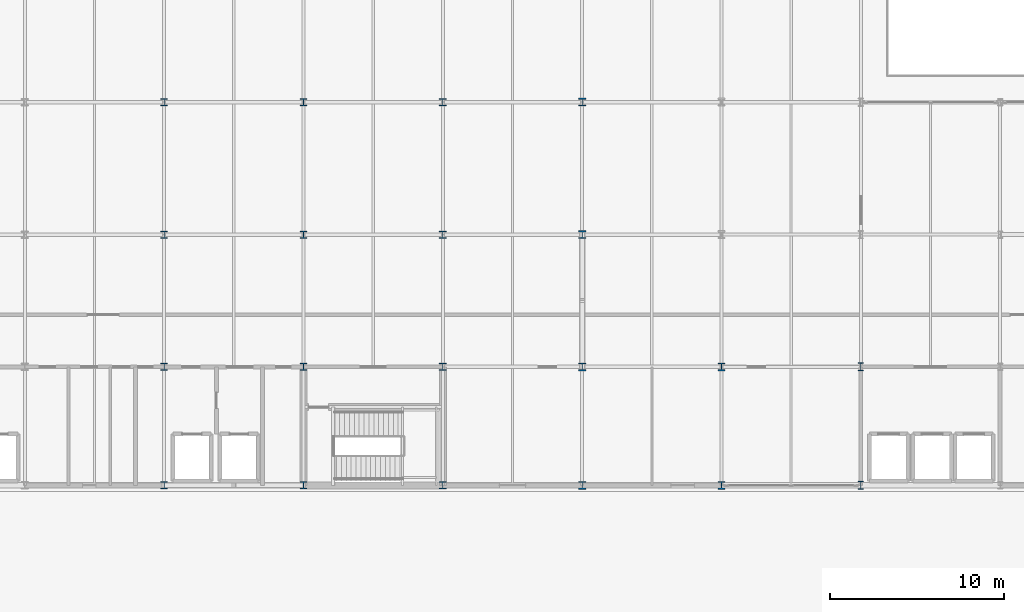
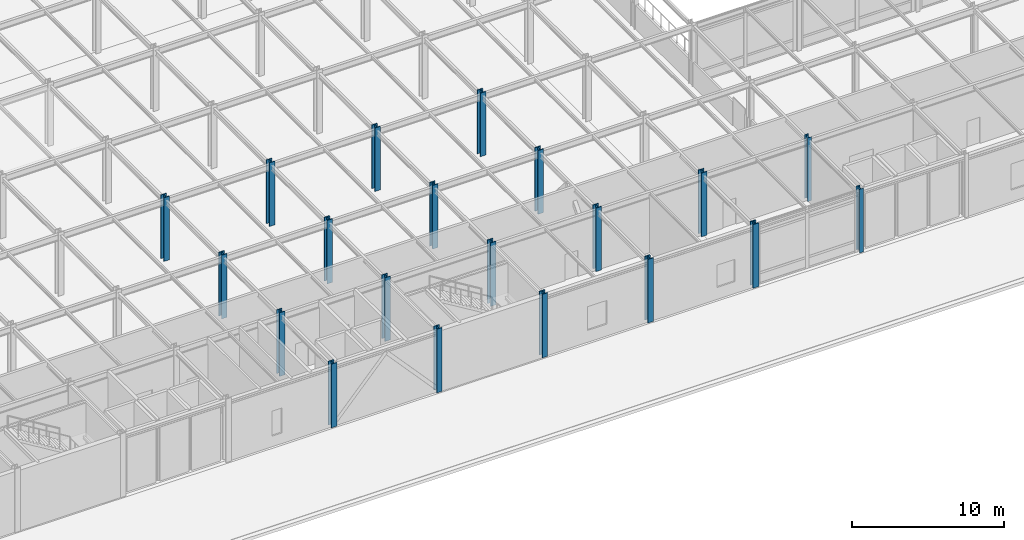
# One storey, part 5 of 113: 20 columns.
"""IFC4 building model written with IfcOpenShell, lengths in metres."""

from ifc_helpers import new_model, si_unit, direction, frame, origin, origin_2d, place, context, subcontext, project, spatial, i_section, extrude, material, material_profile, profile_set, type_object, element, save


model = new_model("IFC4")

# Units and contexts
model_context = context("Model", 3, precision=1e-05, world=origin(), true_north=direction((0.0, 1.0)))
body_context = subcontext(model_context, "Body", "Model", "MODEL_VIEW")
ifc_project = project(units=[si_unit("LENGTHUNIT", "METRE"), si_unit("AREAUNIT", "SQUARE_METRE"), si_unit("VOLUMEUNIT", "CUBIC_METRE"), si_unit("PLANEANGLEUNIT", "RADIAN"), si_unit("MASSUNIT", "GRAM", prefix="KILO")], contexts=[model_context])

# Site, building, storey
site_placement = place(None, origin())
site = spatial("IfcSite", under=ifc_project, at=site_placement, CompositionType="ELEMENT")
building_placement = place(site_placement, origin())
building = spatial("IfcBuilding", under=site, at=building_placement, Name="Shalkamar Park Central Library", CompositionType="ELEMENT")
storey_placement = place(building_placement, frame((0.0, 0.0, 5.39990234375)))
storey = spatial("IfcBuildingStorey", under=building, at=storey_placement, Name="L02", CompositionType="ELEMENT", Elevation=5.39990234375)

# Columns
ifc_material = material(Name="Steel S355", Category="steel")
ifc_material_profile_1 = material_profile(ifc_material, i_section(OverallWidth=0.412109375, OverallDepth=0.43505859375, WebThickness=0.035888671875, FlangeThickness=0.057373046875, FilletRadius=0.014892578125, at=origin_2d()), Name="HD 400x463")
ifc_profile_set_1 = profile_set([ifc_material_profile_1], Name="Steel S355")
column_type_1 = type_object("IfcColumnType", Name="Column Steel HD400x463", PredefinedType="COLUMN", material=ifc_profile_set_1)
for number, where, z_axis, x_axis, name in (
    (1, (189.0, 248.39990234375, 0.0), (0.0, 0.0, 1.0), (1.0, 0.0, 0.0), "Column 10/B (L02)"),
    (2, (189.0, 255.199951171875, 0.0), (0.0, 0.0, 1.0), (1.0, 0.0, 0.0), "Column 10/C (L02)"),
    (3, (189.0, 262.800048828125, 0.0), (0.0, 0.0, 1.0), (1.0, 0.0, 0.0), "Column 10/D (L02)"),
    (4, (189.0, 270.39990234375, 0.0), (0.0, 0.0, 1.0), (1.0, 0.0, 0.0), "Column 10/E (L02)"),
    (5, (197.0, 248.39990234375, 0.0), (0.0, 0.0, 1.0), (1.0, 0.0, 0.0), "Column 11/B (L02)"),
    (6, (197.0, 255.199951171875, 0.0), (0.0, 0.0, 1.0), (1.0, 0.0, 0.0), "Column 11/C (L02)"),
    (7, (197.0, 262.800048828125, 0.0), (0.0, 0.0, 1.0), (1.0, 0.0, 0.0), "Column 11/D (L02)"),
    (8, (197.0, 270.39990234375, 0.0), (0.0, 0.0, 1.0), (1.0, 0.0, 0.0), "Column 11/E (L02)"),
    (9, (205.0, 248.39990234375, 0.0), (0.0, 0.0, 1.0), (1.0, 0.0, 0.0), "Column 12/B (L02)"),
    (10, (205.0, 255.199951171875, 0.0), (0.0, 0.0, 1.0), (1.0, 0.0, 0.0), "Column 12/C (L02)"),
    (11, (205.0, 262.800048828125, 0.0), (0.0, 0.0, 1.0), (1.0, 0.0, 0.0), "Column 12/D (L02)"),
    (12, (205.0, 270.39990234375, 0.0), (0.0, 0.0, 1.0), (1.0, 0.0, 0.0), "Column 12/E (L02)"),
):
    element("IfcColumn", number, at=place(storey_placement, frame(where, z_axis=z_axis, x_axis=x_axis)), inside=storey, type_object=column_type_1, Name=name, PredefinedType="COLUMN", context=body_context, shape_type="SweptSolid", body=[
        extrude(i_section(OverallWidth=0.412109375, OverallDepth=0.43505859375, WebThickness=0.035888671875, FlangeThickness=0.057373046875, FilletRadius=0.014892578125, at=origin_2d()), origin(), (0.0, 0.0, 1.0), 5.10009765625),
    ])
ifc_material_profile_2 = material_profile(ifc_material, i_section(OverallWidth=0.41796875, OverallDepth=0.455078125, WebThickness=0.0419921875, FlangeThickness=0.067626953125, FilletRadius=0.014892578125, at=origin_2d()), Name="HD 400x551")
ifc_profile_set_2 = profile_set([ifc_material_profile_2], Name="Steel S355")
column_type_2 = type_object("IfcColumnType", Name="Column Steel HD400x551", PredefinedType="COLUMN", material=ifc_profile_set_2)
for number, where, z_axis, x_axis, name in (
    (13, (213.0, 248.39990234375, 0.0), (0.0, 0.0, 1.0), (1.0, 0.0, 0.0), "Column 13/B (L02)"),
    (14, (213.0, 255.199951171875, 0.0), (0.0, 0.0, 1.0), (1.0, 0.0, 0.0), "Column 13/C (L02)"),
    (15, (213.0, 262.800048828125, 0.0), (0.0, 0.0, 1.0), (1.0, 0.0, 0.0), "Column 13/D (L02)"),
    (16, (213.0, 270.39990234375, 0.0), (0.0, 0.0, 1.0), (1.0, 0.0, 0.0), "Column 13/E (L02)"),
    (17, (221.0, 248.39990234375, 0.0), (0.0, 0.0, 1.0), (1.0, 0.0, 0.0), "Column 14/B (L02)"),
    (18, (221.0, 255.199951171875, 0.0), (0.0, 0.0, 1.0), (1.0, 0.0, 0.0), "Column 14/C (L02)"),
):
    element("IfcColumn", number, at=place(storey_placement, frame(where, z_axis=z_axis, x_axis=x_axis)), inside=storey, type_object=column_type_2, Name=name, PredefinedType="COLUMN", context=body_context, shape_type="SweptSolid", body=[
        extrude(i_section(OverallWidth=0.41796875, OverallDepth=0.455078125, WebThickness=0.0419921875, FlangeThickness=0.067626953125, FilletRadius=0.014892578125, at=origin_2d()), origin(), (0.0, 0.0, 1.0), 5.10009765625),
    ])
ifc_material_profile_3 = material_profile(ifc_material, i_section(OverallWidth=0.300048828125, OverallDepth=0.449951171875, WebThickness=0.013916015625, FlangeThickness=0.02587890625, FilletRadius=0.027099609375, at=origin_2d()), Name="HEB 450")
ifc_profile_set_3 = profile_set([ifc_material_profile_3], Name="Steel S355")
column_type_3 = type_object("IfcColumnType", Name="Column Steel HEB450", PredefinedType="COLUMN", material=ifc_profile_set_3)
for number, where, z_axis, x_axis, name in (
    (19, (229.0, 248.39990234375, 0.0), (0.0, 0.0, 1.0), (1.0, 0.0, 0.0), "Column 15/B (L02)"),
    (20, (229.0, 255.199951171875, 0.0), (0.0, 0.0, 1.0), (1.0, 0.0, 0.0), "Column 15/C (L02)"),
):
    element("IfcColumn", number, at=place(storey_placement, frame(where, z_axis=z_axis, x_axis=x_axis)), inside=storey, type_object=column_type_3, Name=name, PredefinedType="COLUMN", context=body_context, shape_type="SweptSolid", body=[
        extrude(i_section(OverallWidth=0.300048828125, OverallDepth=0.449951171875, WebThickness=0.013916015625, FlangeThickness=0.02587890625, FilletRadius=0.027099609375, at=origin_2d()), origin(), (0.0, 0.0, 1.0), 5.10009765625),
    ])

save(model, "model.ifc")
